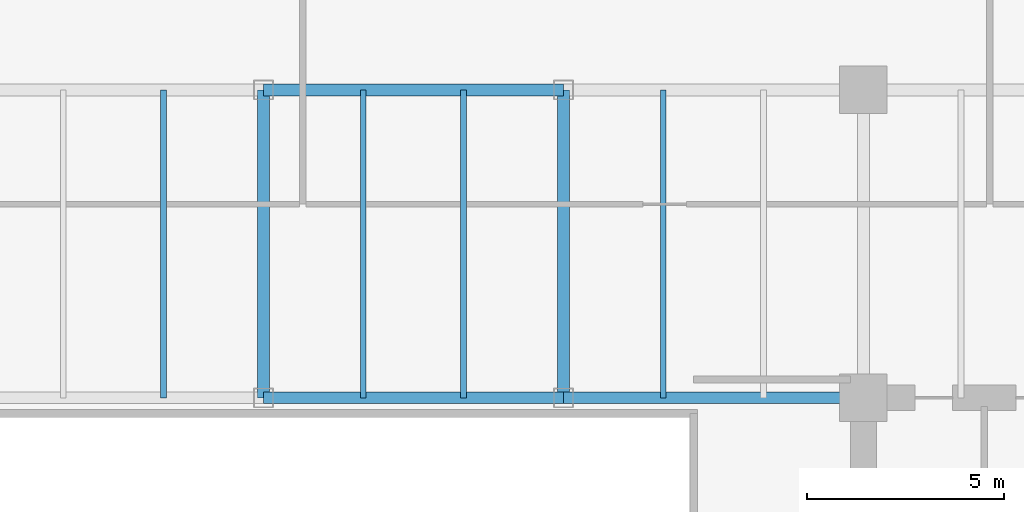
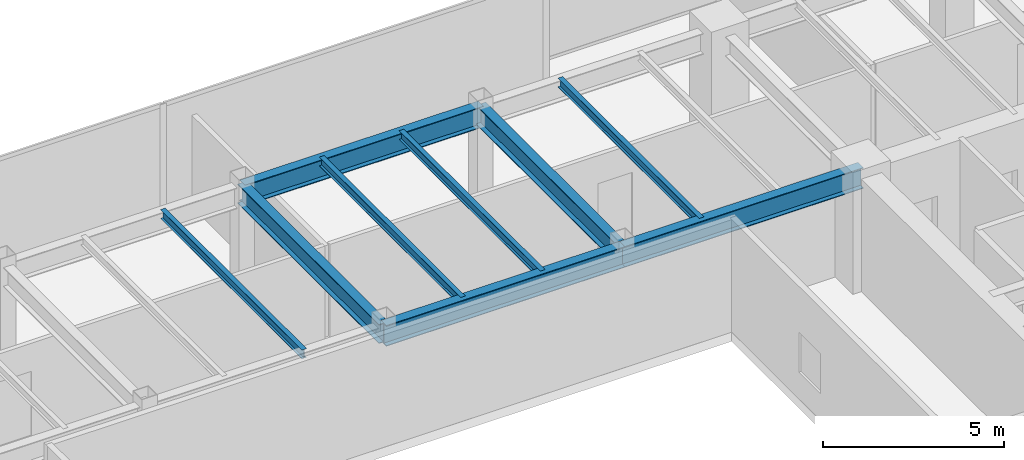
# One storey, part 17 of 30: 9 beams.
"""IFC4 building model written with IfcOpenShell, lengths in metres."""

from ifc_helpers import new_model, si_unit, direction, frame, origin, origin_2d, place, context, subcontext, project, spatial, i_section, extrude, source, transform, mapped, material, material_profile, profile_set, type_object, type_shapes, element, save


model = new_model("IFC4")

# Units and contexts
model_context = context("Model", 3, precision=1e-05, world=origin(), true_north=direction((0.0, 1.0)))
body_context = subcontext(model_context, "Body", "Model", "MODEL_VIEW")
ifc_project = project(units=[si_unit("LENGTHUNIT", "METRE"), si_unit("AREAUNIT", "SQUARE_METRE"), si_unit("VOLUMEUNIT", "CUBIC_METRE"), si_unit("PLANEANGLEUNIT", "RADIAN"), si_unit("MASSUNIT", "GRAM", prefix="KILO")], contexts=[model_context])

# Site, building, storey
site_placement = place(None, origin())
site = spatial("IfcSite", under=ifc_project, at=site_placement, CompositionType="ELEMENT")
building_placement = place(site_placement, origin())
building = spatial("IfcBuilding", under=site, at=building_placement, Name="Haelvirn Gate Laboratories", CompositionType="ELEMENT")
storey_placement = place(building_placement, frame((0.0, 0.0, 105.10009765625)))
storey = spatial("IfcBuildingStorey", under=building, at=storey_placement, Name="L25", CompositionType="ELEMENT", Elevation=105.10009765625)

# Beams
ifc_material = material(Name="Steel SM355", Category="steel")
ifc_material_profile_1 = material_profile(ifc_material, i_section(OverallWidth=0.300048828125, OverallDepth=0.64990234375, WebThickness=0.012939453125, FlangeThickness=0.02197265625, at=origin_2d()), Name="H-650x300x13x22")
ifc_profile_set_1 = profile_set([ifc_material_profile_1], Name="Steel SM355")
beam_type_1 = type_object("IfcBeamType", Name="BM-G-650", PredefinedType="BEAM", material=ifc_profile_set_1)
shared_shape_1 = source(origin(), body_context, "Body", "SweptSolid", [
    extrude(i_section(OverallWidth=0.300048828125, OverallDepth=0.64990234375, WebThickness=0.012939453125, FlangeThickness=0.02197265625, at=origin_2d()), origin(), (0.0, 0.0, 1.0), 7.800048828125),
])
type_shapes(beam_type_1, [shared_shape_1])
for number, where, z_axis, x_axis, name in (
    (1, (37.39990234375, 33.800048828125, 3.46484375), (0.0, 1.0, 0.0), (-1.0, 0.0, 0.0), "L25 Frame Girder X37.4 (33.8-41.6)"),
    (2, (45.0, 33.800048828125, 3.46484375), (0.0, 1.0, 0.0), (-1.0, 0.0, 0.0), "L25 Frame Girder X45.0 (33.8-41.6)"),
):
    element("IfcBeam", number, at=place(storey_placement, frame(where, z_axis=z_axis, x_axis=x_axis)), inside=storey, type_object=beam_type_1, Name=name, PredefinedType="BEAM", context=body_context, shape_type="MappedRepresentation", body=[
        mapped(shared_shape_1, transform((0.0, 0.0, 0.0), scale=1.0)),
    ])
ifc_material_profile_2 = material_profile(ifc_material, i_section(OverallWidth=0.300048828125, OverallDepth=0.699951171875, WebThickness=0.012939453125, FlangeThickness=0.02392578125, at=origin_2d()), Name="H-700x300x13x24")
ifc_profile_set_2 = profile_set([ifc_material_profile_2], Name="Steel SM355")
beam_type_2 = type_object("IfcBeamType", Name="BM-G-700", PredefinedType="BEAM", material=ifc_profile_set_2)
shared_shape_2 = source(origin(), body_context, "Body", "SweptSolid", [
    extrude(i_section(OverallWidth=0.300048828125, OverallDepth=0.699951171875, WebThickness=0.012939453125, FlangeThickness=0.02392578125, at=origin_2d()), origin(), (0.0, 0.0, 1.0), 7.60009765625),
])
type_shapes(beam_type_2, [shared_shape_2])
for number, where, z_axis, x_axis, name in (
    (3, (37.39990234375, 33.800048828125, 3.43994140625), (1.0, 0.0, 0.0), (0.0, 1.0, 0.0), "L25 Primary Girder Y33.8 (37.4-45.0)"),
    (4, (45.0, 33.800048828125, 3.43994140625), (1.0, 0.0, 0.0), (0.0, 1.0, 0.0), "L25 Primary Girder Y33.8 (45.0-52.6)"),
    (5, (37.39990234375, 41.60009765625, 3.43994140625), (1.0, 0.0, 0.0), (0.0, 1.0, 0.0), "L25 Primary Girder Y41.6 (37.4-45.0)"),
):
    element("IfcBeam", number, at=place(storey_placement, frame(where, z_axis=z_axis, x_axis=x_axis)), inside=storey, type_object=beam_type_2, Name=name, PredefinedType="BEAM", context=body_context, shape_type="MappedRepresentation", body=[
        mapped(shared_shape_2, transform((0.0, 0.0, 0.0), scale=1.0)),
    ])
ifc_material_profile_3 = material_profile(ifc_material, i_section(OverallWidth=0.14990234375, OverallDepth=0.300048828125, WebThickness=0.006591796875, FlangeThickness=0.009033203125, at=origin_2d()), Name="H-300x150x6.5x9")
ifc_profile_set_3 = profile_set([ifc_material_profile_3], Name="Steel SM355")
beam_type_3 = type_object("IfcBeamType", Name="BM-J-300", PredefinedType="JOIST", material=ifc_profile_set_3)
shared_shape_3 = source(origin(), body_context, "Body", "SweptSolid", [
    extrude(i_section(OverallWidth=0.14990234375, OverallDepth=0.300048828125, WebThickness=0.006591796875, FlangeThickness=0.009033203125, at=origin_2d()), origin(), (0.0, 0.0, 1.0), 7.800048828125),
])
type_shapes(beam_type_3, [shared_shape_3])
for number, where, z_axis, x_axis, name in (
    (6, (34.8701171875, 33.800048828125, 3.639892578125), (0.0, 1.0, 0.0), (-1.0, 0.0, 0.0), "L25 Composite Lab Joist North X34.87"),
    (7, (39.929931640625, 33.800048828125, 3.639892578125), (0.0, 1.0, 0.0), (-1.0, 0.0, 0.0), "L25 Composite Lab Joist North X39.93"),
    (8, (42.469970703125, 33.800048828125, 3.639892578125), (0.0, 1.0, 0.0), (-1.0, 0.0, 0.0), "L25 Composite Lab Joist North X42.47"),
    (9, (47.530029296875, 33.800048828125, 3.639892578125), (0.0, 1.0, 0.0), (-1.0, 0.0, 0.0), "L25 Composite Lab Joist North X47.53"),
):
    element("IfcBeam", number, at=place(storey_placement, frame(where, z_axis=z_axis, x_axis=x_axis)), inside=storey, type_object=beam_type_3, Name=name, PredefinedType="JOIST", context=body_context, shape_type="MappedRepresentation", body=[
        mapped(shared_shape_3, transform((0.0, 0.0, 0.0), scale=1.0)),
    ])

save(model, "model.ifc")
